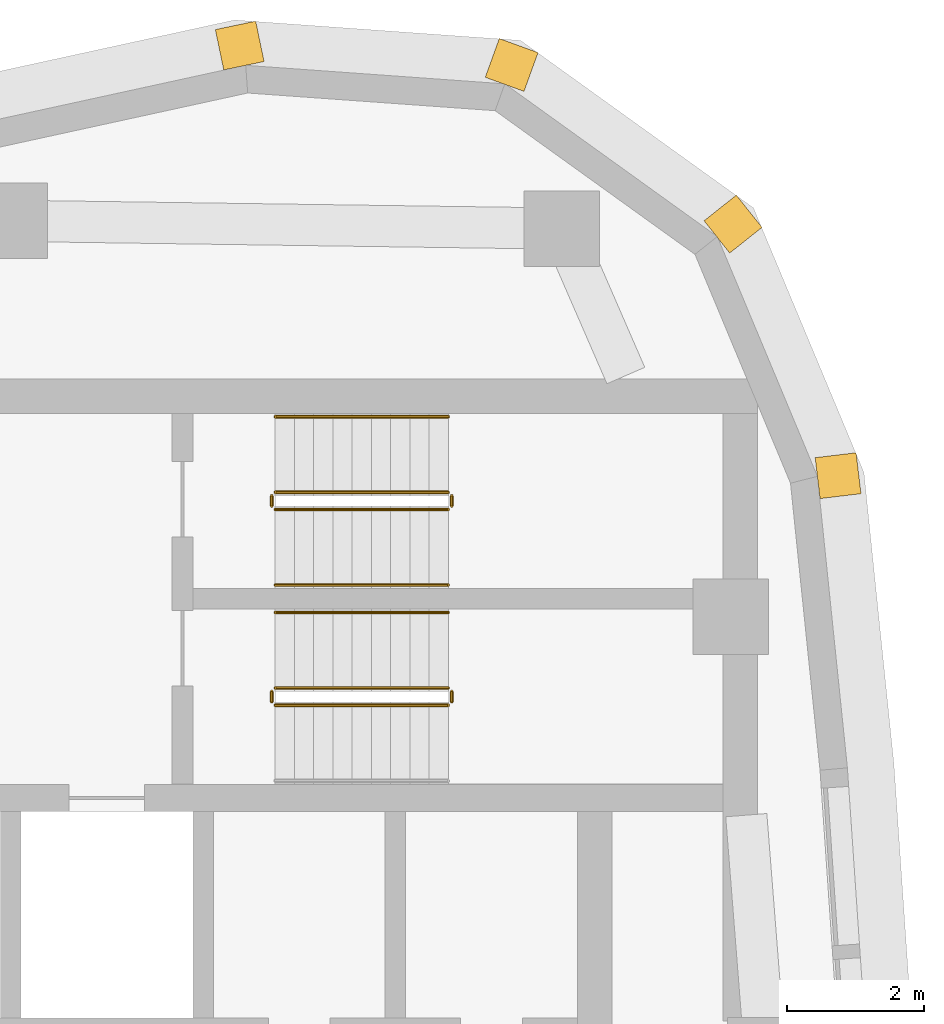
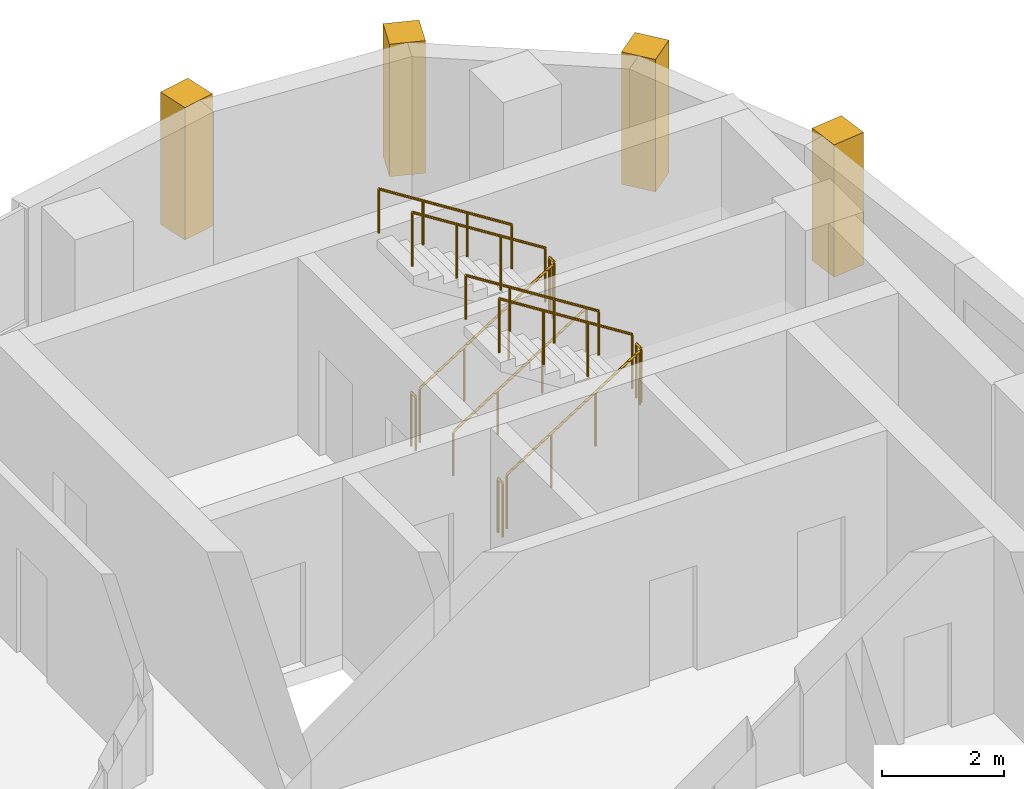
# One storey, part 14 of 14: 11 railings, 4 coverings.
"""IFC4 building model written with IfcOpenShell, lengths in metres."""

from ifc_helpers import new_model, si_unit, direction, frame, frame_2d, origin, origin_2d, place, context, subcontext, project, spatial, rectangle, circle, extrude, material, layer, layer_set, type_object, element, save


model = new_model("IFC4")

# Units and contexts
model_context = context("Model", 3, precision=1e-05, world=origin(), true_north=direction((0.0, 1.0)))
body_context = subcontext(model_context, "Body", "Model", "MODEL_VIEW")
ifc_project = project(units=[si_unit("LENGTHUNIT", "METRE"), si_unit("AREAUNIT", "SQUARE_METRE"), si_unit("VOLUMEUNIT", "CUBIC_METRE"), si_unit("PLANEANGLEUNIT", "RADIAN"), si_unit("MASSUNIT", "GRAM", prefix="KILO")], contexts=[model_context])

# Site, building, storey
site_placement = place(None, origin())
site = spatial("IfcSite", under=ifc_project, at=site_placement, CompositionType="ELEMENT")
building_placement = place(site_placement, origin())
building = spatial("IfcBuilding", under=site, at=building_placement, Name="Ostrand Prow Hotel Tower", CompositionType="ELEMENT")
storey_placement = place(building_placement, frame((0.0, 0.0, 267.89990234375)))
storey = spatial("IfcBuildingStorey", under=building, at=storey_placement, Name="L67", CompositionType="ELEMENT", Elevation=267.89990234375)

# Coverings
ifc_material_1 = material(Name="Limestone cladding", Category="masonry")
ifc_layer = layer(ifc_material_1, 0.60009765625)
ifc_layer_set = layer_set([ifc_layer], Name="Limestone cladding")
covering_type = type_object("IfcCoveringType", Name="Precast stone prow rib 600x600", PredefinedType="CLADDING", material=ifc_layer_set)
covering_1_placement = place(storey_placement, frame((65.0966796875, 14.806396484375, 0.60009765625), z_axis=(0.0, 0.0, 1.0), x_axis=(0.992867207971, 0.119225447515, 0.0)))
element("IfcCovering", 1, at=covering_1_placement, inside=storey, type_object=covering_type, Name="Stone corner rib 12a", PredefinedType="CLADDING", context=body_context, shape_type="SweptSolid", body=[
    extrude(rectangle(XDim=0.60009765625, YDim=0.60009765625, at=frame_2d((0.300048828125, 0.0))), origin(), (0.0, 0.0, 1.0), 2.64990234375),
])
for number, where, z_axis, x_axis, name in (
    (2, (63.630615234375, 18.318359375, 0.60009765625), (0.0, 0.0, 1.0), (0.782731736812, 0.622359243674, 0.0), "Stone corner rib 13a"),
    (3, (60.540283203125, 20.539794921875, 0.60009765625), (0.0, 0.0, 1.0), (0.340664419472, 0.940184956966, 0.0), "Stone corner rib 14a"),
):
    element("IfcCovering", number, at=place(storey_placement, frame(where, z_axis=z_axis, x_axis=x_axis)), inside=storey, type_object=covering_type, Name=name, PredefinedType="CLADDING", context=body_context, shape_type="SweptSolid", body=[
        extrude(rectangle(XDim=0.599853515625, YDim=0.60009765625, at=frame_2d((0.2998046875, 0.0))), origin(), (0.0, 0.0, 1.0), 2.64990234375),
    ])
covering_2_placement = place(storey_placement, frame((56.744384765625, 20.810546875, 0.60009765625), z_axis=(0.0, 0.0, 1.0), x_axis=(-0.203385687349, 0.979098698897, 0.0)))
element("IfcCovering", 4, at=covering_2_placement, inside=storey, type_object=covering_type, Name="Stone corner rib 14b", PredefinedType="CLADDING", context=body_context, shape_type="SweptSolid", body=[
    extrude(rectangle(XDim=0.60009765625, YDim=0.60009765625, at=frame_2d((0.300048828125, 0.0))), origin(), (0.0, 0.0, 1.0), 2.64990234375),
])

# Railings
ifc_material_2 = material(Name="Painted steel", Category="steel")
railing_type_1 = type_object("IfcRailingType", Name="Stair guard 1100", PredefinedType="GUARDRAIL", material=ifc_material_2)
railing_1_placement = place(storey_placement, frame((57.199951171875, 11.5, 0.177490234375)))
element("IfcRailing", 5, at=railing_1_placement, inside=storey, type_object=railing_type_1, Name="L67 ST1C stair guard 1", PredefinedType="GUARDRAIL", context=body_context, shape_type="SweptSolid", body=[
    extrude(circle(Radius=0.02392578125, at=origin_2d()), frame((0.0, 0.0, 1.076171875), z_axis=(0.84456994832, 0.0, 0.535445237532), x_axis=(0.0, 1.0, 0.0)), (0.0, 0.0, 1.0), 2.98388671875),
    extrude(circle(Radius=0.02099609375, at=origin_2d()), origin(), (0.0, 0.0, 1.0), 1.052001953125),
    extrude(circle(Radius=0.02099609375, at=origin_2d()), frame((0.840087890625, 0.0, 0.532470703125)), (0.0, 0.0, 1.0), 1.052001953125),
    extrude(circle(Radius=0.02099609375, at=origin_2d()), frame((1.679931640625, 0.0, 1.065185546875)), (0.0, 0.0, 1.0), 1.052001953125),
    extrude(circle(Radius=0.02099609375, at=origin_2d()), frame((2.52001953125, 0.0, 1.59765625)), (0.0, 0.0, 1.0), 1.052001953125),
])
railing_2_placement = place(storey_placement, frame((59.77001953125, 11.550048828125, 1.775146484375)))
element("IfcRailing", 6, at=railing_2_placement, inside=storey, type_object=railing_type_1, Name="L67 ST1C stair guard 2", PredefinedType="GUARDRAIL", context=body_context, shape_type="SweptSolid", body=[
    extrude(circle(Radius=0.02392578125, at=origin_2d()), frame((0.0, 0.0, 1.076171875), z_axis=(0.0, 1.0, 0.0), x_axis=(-1.0, 0.0, 0.0)), (0.0, 0.0, 1.0), 0.14990234375),
    extrude(circle(Radius=0.02099609375, at=origin_2d()), origin(), (0.0, 0.0, 1.0), 1.052001953125),
    extrude(circle(Radius=0.02099609375, at=origin_2d()), frame((0.0, 0.14990234375, 0.0)), (0.0, 0.0, 1.0), 1.052001953125),
])
railing_3_placement = place(storey_placement, frame((59.719970703125, 11.75, 1.95263671875)))
element("IfcRailing", 7, at=railing_3_placement, inside=storey, type_object=railing_type_1, Name="L67 ST1C stair guard 3", PredefinedType="GUARDRAIL", context=body_context, shape_type="SweptSolid", body=[
    extrude(circle(Radius=0.02392578125, at=origin_2d()), frame((0.0, 0.0, 1.076171875), z_axis=(-0.84460694969, 0.0, 0.535386869969), x_axis=(0.0, -1.0, 0.0)), (0.0, 0.0, 1.0), 2.983642578125),
    extrude(circle(Radius=0.02099609375, at=origin_2d()), origin(), (0.0, 0.0, 1.0), 1.052001953125),
    extrude(circle(Radius=0.02099609375, at=origin_2d()), frame((-0.840087890625, 0.0, 0.532470703125)), (0.0, 0.0, 1.0), 1.052001953125),
    extrude(circle(Radius=0.02099609375, at=origin_2d()), frame((-1.679931640625, 0.0, 1.06494140625)), (0.0, 0.0, 1.0), 1.052001953125),
    extrude(circle(Radius=0.02099609375, at=origin_2d()), frame((-2.52001953125, 0.0, 1.597412109375)), (0.0, 0.0, 1.0), 1.052001953125),
])
railing_4_placement = place(storey_placement, frame((57.14990234375, 11.550048828125, 0.0)))
element("IfcRailing", 8, at=railing_4_placement, inside=storey, type_object=railing_type_1, Name="L67 ST1C stair guard 4", PredefinedType="GUARDRAIL", context=body_context, shape_type="SweptSolid", body=[
    extrude(circle(Radius=0.02392578125, at=origin_2d()), frame((0.0, 0.0, 1.076171875), z_axis=(0.0, 1.0, 0.0), x_axis=(-1.0, 0.0, 0.0)), (0.0, 0.0, 1.0), 0.14990234375),
    extrude(circle(Radius=0.02099609375, at=origin_2d()), origin(), (0.0, 0.0, 1.0), 1.052001953125),
    extrude(circle(Radius=0.02099609375, at=origin_2d()), frame((0.0, 0.14990234375, 0.0)), (0.0, 0.0, 1.0), 1.052001953125),
])
railing_5_placement = place(storey_placement, frame((57.199951171875, 14.35009765625, 0.177490234375)))
element("IfcRailing", 9, at=railing_5_placement, inside=storey, type_object=railing_type_1, Name="L67 ST3C stair guard 1", PredefinedType="GUARDRAIL", context=body_context, shape_type="SweptSolid", body=[
    extrude(circle(Radius=0.02392578125, at=origin_2d()), frame((0.0, 0.0, 1.076171875), z_axis=(0.84456994832, 0.0, 0.535445237532), x_axis=(0.0, 1.0, 0.0)), (0.0, 0.0, 1.0), 2.98388671875),
    extrude(circle(Radius=0.02099609375, at=origin_2d()), origin(), (0.0, 0.0, 1.0), 1.052001953125),
    extrude(circle(Radius=0.02099609375, at=origin_2d()), frame((0.840087890625, 0.0, 0.532470703125)), (0.0, 0.0, 1.0), 1.052001953125),
    extrude(circle(Radius=0.02099609375, at=origin_2d()), frame((1.679931640625, 0.0, 1.065185546875)), (0.0, 0.0, 1.0), 1.052001953125),
    extrude(circle(Radius=0.02099609375, at=origin_2d()), frame((2.52001953125, 0.0, 1.59765625)), (0.0, 0.0, 1.0), 1.052001953125),
])
railing_6_placement = place(storey_placement, frame((59.77001953125, 14.39990234375, 1.775146484375)))
element("IfcRailing", 10, at=railing_6_placement, inside=storey, type_object=railing_type_1, Name="L67 ST3C stair guard 2", PredefinedType="GUARDRAIL", context=body_context, shape_type="SweptSolid", body=[
    extrude(circle(Radius=0.02392578125, at=origin_2d()), frame((0.0, 0.0, 1.076171875), z_axis=(0.0, 1.0, 0.0), x_axis=(-1.0, 0.0, 0.0)), (0.0, 0.0, 1.0), 0.150146484375),
    extrude(circle(Radius=0.02099609375, at=origin_2d()), origin(), (0.0, 0.0, 1.0), 1.052001953125),
    extrude(circle(Radius=0.02099609375, at=origin_2d()), frame((0.0, 0.150146484375, 0.0)), (0.0, 0.0, 1.0), 1.052001953125),
])
railing_7_placement = place(storey_placement, frame((59.719970703125, 14.60009765625, 1.95263671875)))
element("IfcRailing", 11, at=railing_7_placement, inside=storey, type_object=railing_type_1, Name="L67 ST3C stair guard 3", PredefinedType="GUARDRAIL", context=body_context, shape_type="SweptSolid", body=[
    extrude(circle(Radius=0.02392578125, at=origin_2d()), frame((0.0, 0.0, 1.076171875), z_axis=(-0.84460694969, 0.0, 0.535386869969), x_axis=(0.0, -1.0, 0.0)), (0.0, 0.0, 1.0), 2.983642578125),
    extrude(circle(Radius=0.02099609375, at=origin_2d()), origin(), (0.0, 0.0, 1.0), 1.052001953125),
    extrude(circle(Radius=0.02099609375, at=origin_2d()), frame((-0.840087890625, 0.0, 0.532470703125)), (0.0, 0.0, 1.0), 1.052001953125),
    extrude(circle(Radius=0.02099609375, at=origin_2d()), frame((-1.679931640625, 0.0, 1.06494140625)), (0.0, 0.0, 1.0), 1.052001953125),
    extrude(circle(Radius=0.02099609375, at=origin_2d()), frame((-2.52001953125, 0.0, 1.597412109375)), (0.0, 0.0, 1.0), 1.052001953125),
])
railing_8_placement = place(storey_placement, frame((57.14990234375, 14.39990234375, 0.0)))
element("IfcRailing", 12, at=railing_8_placement, inside=storey, type_object=railing_type_1, Name="L67 ST3C stair guard 4", PredefinedType="GUARDRAIL", context=body_context, shape_type="SweptSolid", body=[
    extrude(circle(Radius=0.02392578125, at=origin_2d()), frame((0.0, 0.0, 1.076171875), z_axis=(0.0, 1.0, 0.0), x_axis=(-1.0, 0.0, 0.0)), (0.0, 0.0, 1.0), 0.150146484375),
    extrude(circle(Radius=0.02099609375, at=origin_2d()), origin(), (0.0, 0.0, 1.0), 1.052001953125),
    extrude(circle(Radius=0.02099609375, at=origin_2d()), frame((0.0, 0.150146484375, 0.0)), (0.0, 0.0, 1.0), 1.052001953125),
])
ifc_material_3 = material(Name="Stainless steel", Category="steel")
railing_type_2 = type_object("IfcRailingType", Name="Stair handrail 900", PredefinedType="HANDRAIL", material=ifc_material_3)
railing_9_placement = place(storey_placement, frame((59.719970703125, 12.85009765625, 1.95263671875)))
element("IfcRailing", 13, at=railing_9_placement, inside=storey, type_object=railing_type_2, Name="L67 ST1C stair handrail 2", PredefinedType="HANDRAIL", context=body_context, shape_type="SweptSolid", body=[
    extrude(circle(Radius=0.02392578125, at=origin_2d()), frame((0.0, 0.0, 0.8759765625), z_axis=(-0.84460694969, 0.0, 0.535386869969), x_axis=(0.0, -1.0, 0.0)), (0.0, 0.0, 1.0), 2.983642578125),
    extrude(circle(Radius=0.02099609375, at=origin_2d()), origin(), (0.0, 0.0, 1.0), 0.851806640625),
    extrude(circle(Radius=0.02099609375, at=origin_2d()), frame((-0.840087890625, 0.0, 0.532470703125)), (0.0, 0.0, 1.0), 0.851806640625),
    extrude(circle(Radius=0.02099609375, at=origin_2d()), frame((-1.679931640625, 0.0, 1.06494140625)), (0.0, 0.0, 1.0), 0.851806640625),
    extrude(circle(Radius=0.02099609375, at=origin_2d()), frame((-2.52001953125, 0.0, 1.597412109375)), (0.0, 0.0, 1.0), 0.851806640625),
])
railing_10_placement = place(storey_placement, frame((57.199951171875, 13.25, 0.177490234375)))
element("IfcRailing", 14, at=railing_10_placement, inside=storey, type_object=railing_type_2, Name="L67 ST3C stair handrail 1", PredefinedType="HANDRAIL", context=body_context, shape_type="SweptSolid", body=[
    extrude(circle(Radius=0.02392578125, at=origin_2d()), frame((0.0, 0.0, 0.8759765625), z_axis=(0.84456994832, 0.0, 0.535445237532), x_axis=(0.0, 1.0, 0.0)), (0.0, 0.0, 1.0), 2.98388671875),
    extrude(circle(Radius=0.02099609375, at=origin_2d()), origin(), (0.0, 0.0, 1.0), 0.851806640625),
    extrude(circle(Radius=0.02099609375, at=origin_2d()), frame((0.840087890625, 0.0, 0.532470703125)), (0.0, 0.0, 1.0), 0.851806640625),
    extrude(circle(Radius=0.02099609375, at=origin_2d()), frame((1.679931640625, 0.0, 1.065185546875)), (0.0, 0.0, 1.0), 0.851806640625),
    extrude(circle(Radius=0.02099609375, at=origin_2d()), frame((2.52001953125, 0.0, 1.59765625)), (0.0, 0.0, 1.0), 0.851806640625),
])
railing_11_placement = place(storey_placement, frame((59.719970703125, 15.699951171875, 1.95263671875)))
element("IfcRailing", 15, at=railing_11_placement, inside=storey, type_object=railing_type_2, Name="L67 ST3C stair handrail 2", PredefinedType="HANDRAIL", context=body_context, shape_type="SweptSolid", body=[
    extrude(circle(Radius=0.02392578125, at=origin_2d()), frame((0.0, 0.0, 0.8759765625), z_axis=(-0.84460694969, 0.0, 0.535386869969), x_axis=(0.0, -1.0, 0.0)), (0.0, 0.0, 1.0), 2.983642578125),
    extrude(circle(Radius=0.02099609375, at=origin_2d()), origin(), (0.0, 0.0, 1.0), 0.851806640625),
    extrude(circle(Radius=0.02099609375, at=origin_2d()), frame((-0.840087890625, 0.0, 0.532470703125)), (0.0, 0.0, 1.0), 0.851806640625),
    extrude(circle(Radius=0.02099609375, at=origin_2d()), frame((-1.679931640625, 0.0, 1.06494140625)), (0.0, 0.0, 1.0), 0.851806640625),
    extrude(circle(Radius=0.02099609375, at=origin_2d()), frame((-2.52001953125, 0.0, 1.597412109375)), (0.0, 0.0, 1.0), 0.851806640625),
])

save(model, "model.ifc")
